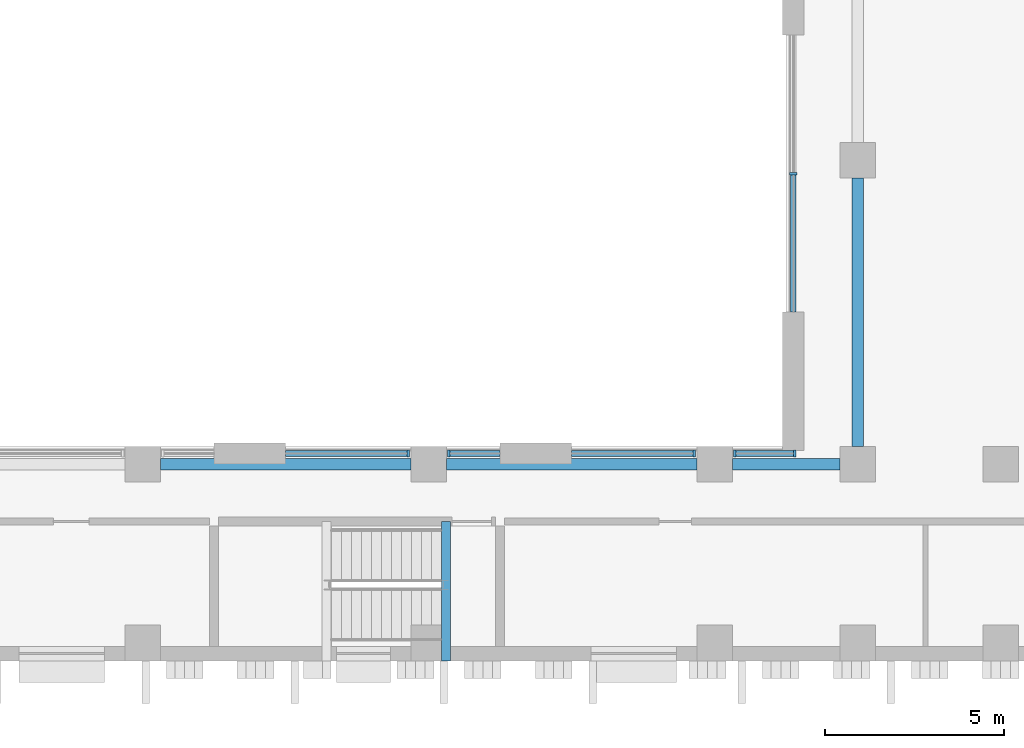
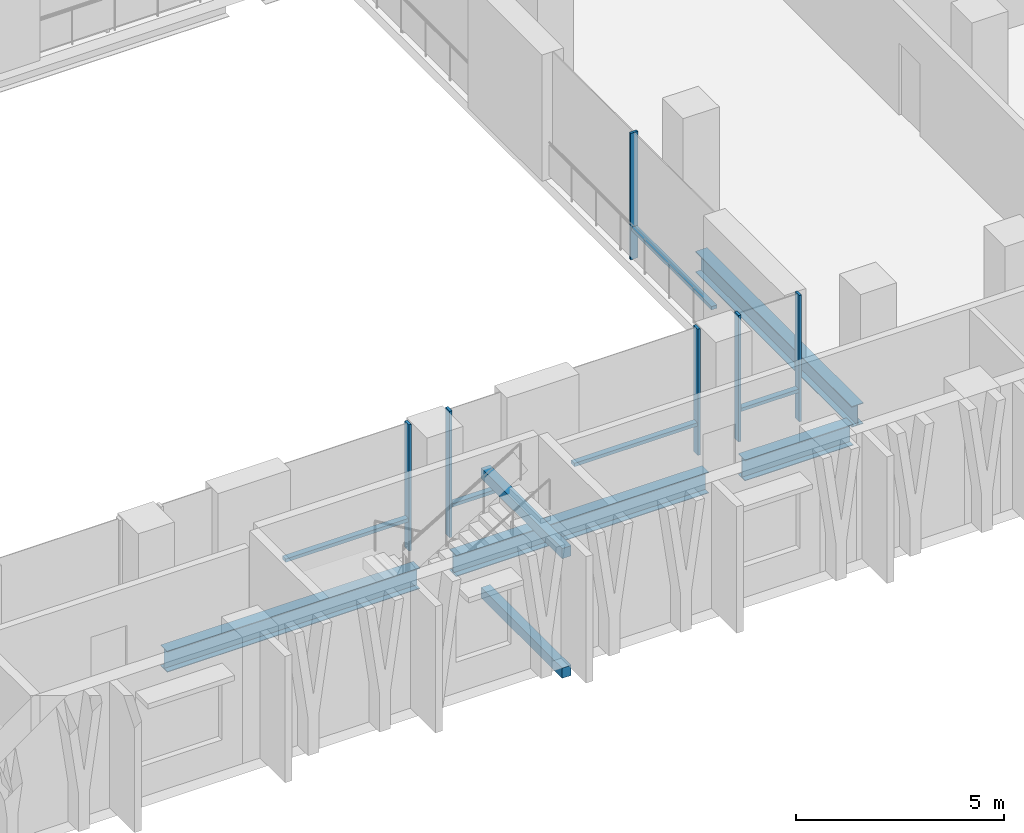
# One storey, part 3 of 24: 11 members, 6 beams, 5 elements without a shape of their own.
"""IFC4 building model written with IfcOpenShell, lengths in metres."""

from ifc_helpers import new_model, si_unit, direction, frame, origin, origin_2d, place, context, subcontext, project, spatial, rectangle, i_section, extrude, material, material_profile, profile_set, type_object, element, aggregate, save


model = new_model("IFC4")

# Units and contexts
model_context = context("Model", 3, precision=1e-05, world=origin(), true_north=direction((0.0, 1.0)))
body_context = subcontext(model_context, "Body", "Model", "MODEL_VIEW")
ifc_project = project(units=[si_unit("LENGTHUNIT", "METRE"), si_unit("AREAUNIT", "SQUARE_METRE"), si_unit("VOLUMEUNIT", "CUBIC_METRE"), si_unit("PLANEANGLEUNIT", "RADIAN"), si_unit("MASSUNIT", "GRAM", prefix="KILO")], contexts=[model_context])

# Site, building, storey
site_placement = place(None, origin())
site = spatial("IfcSite", under=ifc_project, at=site_placement, CompositionType="ELEMENT")
building_placement = place(site_placement, origin())
building = spatial("IfcBuilding", under=site, at=building_placement, Name="Vidyagriha Tower", CompositionType="ELEMENT")
storey_placement = place(building_placement, frame((0.0, 0.0, 22.0)))
storey = spatial("IfcBuildingStorey", under=building, at=storey_placement, Name="L05", CompositionType="ELEMENT", Elevation=22.0)

# Beams
ifc_material_1 = material(Name="Steel ASTM A992 Grade 50", Category="steel")
ifc_material_profile_1 = material_profile(ifc_material_1, i_section(OverallWidth=0.32373046875, OverallDepth=0.612060546875, WebThickness=0.0126953125, FlangeThickness=0.01904296875, at=origin_2d()), Name="W24X104")
ifc_profile_set_1 = profile_set([ifc_material_profile_1], Name="Steel ASTM A992 Grade 50")
beam_type_1 = type_object("IfcBeamType", Name="Atrium edge beam W24X104", PredefinedType="BEAM", material=ifc_profile_set_1)
for number, where, z_axis, x_axis, name in (
    (1, (2.5, -44.5, -0.60595703125), (1.0, 0.0, 0.0), (0.0, 1.0, 0.0), "st-beam-L05-AT04"),
    (2, (10.5, -44.5, -0.60595703125), (1.0, 0.0, 0.0), (0.0, 1.0, 0.0), "st-beam-L05-AT05"),
):
    element("IfcBeam", number, at=place(storey_placement, frame(where, z_axis=z_axis, x_axis=x_axis)), inside=storey, type_object=beam_type_1, Name=name, PredefinedType="BEAM", context=body_context, shape_type="SweptSolid", body=[
        extrude(i_section(OverallWidth=0.32373046875, OverallDepth=0.612060546875, WebThickness=0.0126953125, FlangeThickness=0.01904296875, at=origin_2d()), origin(), (0.0, 0.0, 1.0), 7.0),
    ])
beam_1_placement = place(storey_placement, frame((18.5, -44.5, -0.60595703125), z_axis=(1.0, 0.0, 0.0), x_axis=(0.0, 1.0, 0.0)))
element("IfcBeam", 3, at=beam_1_placement, inside=storey, type_object=beam_type_1, Name="st-beam-L05-AT06", PredefinedType="BEAM", context=body_context, shape_type="SweptSolid", body=[
    extrude(i_section(OverallWidth=0.32373046875, OverallDepth=0.612060546875, WebThickness=0.0126953125, FlangeThickness=0.01904296875, at=origin_2d()), origin(), (0.0, 0.0, 1.0), 3.0),
])
beam_2_placement = place(storey_placement, frame((22.0, -44.0, -0.60595703125), z_axis=(0.0, 1.0, 0.0), x_axis=(-1.0, 0.0, 0.0)))
element("IfcBeam", 4, at=beam_2_placement, inside=storey, type_object=beam_type_1, Name="st-beam-L05-AT16", PredefinedType="BEAM", context=body_context, shape_type="SweptSolid", body=[
    extrude(i_section(OverallWidth=0.32373046875, OverallDepth=0.612060546875, WebThickness=0.0126953125, FlangeThickness=0.01904296875, at=origin_2d()), origin(), (0.0, 0.0, 1.0), 7.5),
])

# Curtain wall, members
ifc_material_2 = material(Name="Aluminium and glass curtain wall", Category="aluminium")
curtain_wall_type = type_object("IfcCurtainWallType", Name="Atrium screen curtain wall", PredefinedType="USERDEFINED", material=ifc_material_2)
curtain_wall_1_placement = place(storey_placement, origin())
curtain_wall_1 = element("IfcCurtainWall", 5, at=curtain_wall_1_placement, inside=storey, type_object=curtain_wall_type, Name="CW6 atrium screen", ObjectType="UNITISED", PredefinedType="USERDEFINED")
ifc_material_3 = material(Name="Aluminium black anodised", Category="aluminium")
ifc_material_profile_2 = material_profile(ifc_material_3, rectangle(XDim=0.199951171875, YDim=0.070068359375, at=origin_2d()), Name="Mullion 70x200 black aluminium")
ifc_profile_set_2 = profile_set([ifc_material_profile_2], Name="Aluminium black anodised")
member_type_1 = type_object("IfcMemberType", Name="Mullion 70x200 black aluminium", PredefinedType="MULLION", material=ifc_profile_set_2)
member_1_placement = place(storey_placement, frame((20.2451171875, -44.199951171875, 0.0), z_axis=(0.0, 0.0, 1.0), x_axis=(0.0, -1.0, 0.0)))
member_1 = element("IfcMember", 6, at=member_1_placement, type_object=member_type_1, Name="CW6 mullion 1", PredefinedType="MULLION", context=body_context, shape_type="SweptSolid", body=[
    extrude(rectangle(XDim=0.199951171875, YDim=0.070068359375, at=origin_2d()), origin(), (0.0, 0.0, 1.0), 3.699951171875),
])
member_2_placement = place(storey_placement, frame((18.56494140625, -44.199951171875, 0.0), z_axis=(0.0, 0.0, 1.0), x_axis=(0.0, -1.0, 0.0)))
member_2 = element("IfcMember", 7, at=member_2_placement, type_object=member_type_1, Name="CW6 mullion 2", PredefinedType="MULLION", context=body_context, shape_type="SweptSolid", body=[
    extrude(rectangle(XDim=0.199951171875, YDim=0.070068359375, at=origin_2d()), origin(), (0.0, 0.0, 1.0), 3.699951171875),
])

# Curtain wall, member
curtain_wall_2_placement = place(storey_placement, origin())
curtain_wall_2 = element("IfcCurtainWall", 8, at=curtain_wall_2_placement, inside=storey, type_object=curtain_wall_type, Name="CW6 atrium screen", ObjectType="UNITISED", PredefinedType="USERDEFINED")
member_3_placement = place(storey_placement, frame((17.43505859375, -44.199951171875, 0.0), z_axis=(0.0, 0.0, 1.0), x_axis=(0.0, -1.0, 0.0)))
member_3 = element("IfcMember", 9, at=member_3_placement, type_object=member_type_1, Name="CW6 mullion 1", PredefinedType="MULLION", context=body_context, shape_type="SweptSolid", body=[
    extrude(rectangle(XDim=0.199951171875, YDim=0.070068359375, at=origin_2d()), origin(), (0.0, 0.0, 1.0), 3.699951171875),
])

curtain_wall_3_placement = place(storey_placement, origin())
curtain_wall_3 = element("IfcCurtainWall", 10, at=curtain_wall_3_placement, inside=storey, type_object=curtain_wall_type, Name="CW6 atrium screen", ObjectType="UNITISED", PredefinedType="USERDEFINED")
member_4_placement = place(storey_placement, frame((10.56494140625, -44.199951171875, 0.0), z_axis=(0.0, 0.0, 1.0), x_axis=(0.0, -1.0, 0.0)))
member_4 = element("IfcMember", 11, at=member_4_placement, type_object=member_type_1, Name="CW6 mullion 2", PredefinedType="MULLION", context=body_context, shape_type="SweptSolid", body=[
    extrude(rectangle(XDim=0.199951171875, YDim=0.070068359375, at=origin_2d()), origin(), (0.0, 0.0, 1.0), 3.699951171875),
])

curtain_wall_4_placement = place(storey_placement, origin())
curtain_wall_4 = element("IfcCurtainWall", 12, at=curtain_wall_4_placement, inside=storey, type_object=curtain_wall_type, Name="CW6 atrium screen", ObjectType="UNITISED", PredefinedType="USERDEFINED")
member_5_placement = place(storey_placement, frame((9.43505859375, -44.199951171875, 0.0), z_axis=(0.0, 0.0, 1.0), x_axis=(0.0, -1.0, 0.0)))
member_5 = element("IfcMember", 13, at=member_5_placement, type_object=member_type_1, Name="CW6 mullion 1", PredefinedType="MULLION", context=body_context, shape_type="SweptSolid", body=[
    extrude(rectangle(XDim=0.199951171875, YDim=0.070068359375, at=origin_2d()), origin(), (0.0, 0.0, 1.0), 3.699951171875),
])

curtain_wall_5_placement = place(storey_placement, origin())
curtain_wall_5 = element("IfcCurtainWall", 14, at=curtain_wall_5_placement, inside=storey, type_object=curtain_wall_type, Name="CW6 atrium screen", ObjectType="UNITISED", PredefinedType="USERDEFINED")
member_6_placement = place(storey_placement, frame((20.199951171875, -36.373291015625, 0.0)))
member_6 = element("IfcMember", 15, at=member_6_placement, type_object=member_type_1, Name="CW6 mullion 2", PredefinedType="MULLION", context=body_context, shape_type="SweptSolid", body=[
    extrude(rectangle(XDim=0.199951171875, YDim=0.070068359375, at=origin_2d()), origin(), (0.0, 0.0, 1.0), 3.699951171875),
])

# Beams
ifc_material_4 = material(Name="Concrete C40/50", Category="concrete")
ifc_material_profile_3 = material_profile(ifc_material_4, rectangle(XDim=0.25, YDim=0.300048828125, at=origin_2d()), Name="Stair landing bearing beam 250x300")
ifc_profile_set_3 = profile_set([ifc_material_profile_3], Name="Concrete C40/50")
beam_type_2 = type_object("IfcBeamType", Name="Stair landing bearing beam 250x300", PredefinedType="BEAM", material=ifc_profile_set_3)
for number, where, z_axis, x_axis, name in (
    (16, (10.47998046875, -50.0, -0.449951171875), (0.0, 1.0, 0.0), (-1.0, 0.0, 0.0), "PS4 floor landing bearing beam L05"),
    (17, (10.47998046875, -50.0, 3.050048828125), (0.0, 1.0, 0.0), (-1.0, 0.0, 0.0), "PS4 floor landing bearing beam L06"),
):
    element("IfcBeam", number, at=place(storey_placement, frame(where, z_axis=z_axis, x_axis=x_axis)), inside=storey, type_object=beam_type_2, Name=name, PredefinedType="BEAM", context=body_context, shape_type="SweptSolid", body=[
        extrude(rectangle(XDim=0.25, YDim=0.300048828125, at=origin_2d()), origin(), (0.0, 0.0, 1.0), 3.89990234375),
    ])

# Member
ifc_material_5 = material(Name="Aluminium black anodised", Category="aluminium")
ifc_material_profile_4 = material_profile(ifc_material_5, rectangle(XDim=0.159912109375, YDim=0.10009765625, at=origin_2d()), Name="Transom 100x160 black aluminium")
ifc_profile_set_4 = profile_set([ifc_material_profile_4], Name="Aluminium black anodised")
member_type_2 = type_object("IfcMemberType", Name="Transom 100x160 black aluminium", PredefinedType="USERDEFINED", material=ifc_profile_set_4)
member_7_placement = place(storey_placement, frame((20.2099609375, -44.199951171875, 0.89990234375), z_axis=(-1.0, 0.0, 0.0), x_axis=(0.0, -1.0, 0.0)))
member_7 = element("IfcMember", 18, at=member_7_placement, type_object=member_type_2, Name="CW6 transom 1.1", ObjectType="TRANSOM", PredefinedType="USERDEFINED", context=body_context, shape_type="SweptSolid", body=[
    extrude(rectangle(XDim=0.159912109375, YDim=0.10009765625, at=origin_2d()), origin(), (0.0, 0.0, 1.0), 1.60986328125),
])

aggregate(curtain_wall_1, [member_1, member_2, member_7])

member_8_placement = place(storey_placement, frame((17.39990234375, -44.199951171875, 0.89990234375), z_axis=(-1.0, 0.0, 0.0), x_axis=(0.0, -1.0, 0.0)))
member_8 = element("IfcMember", 19, at=member_8_placement, type_object=member_type_2, Name="CW6 transom 1.1", ObjectType="TRANSOM", PredefinedType="USERDEFINED", context=body_context, shape_type="SweptSolid", body=[
    extrude(rectangle(XDim=0.159912109375, YDim=0.10009765625, at=origin_2d()), origin(), (0.0, 0.0, 1.0), 3.39990234375),
])

aggregate(curtain_wall_2, [member_3, member_8])

member_9_placement = place(storey_placement, frame((12.0, -44.199951171875, 0.89990234375), z_axis=(-1.0, 0.0, 0.0), x_axis=(0.0, -1.0, 0.0)))
member_9 = element("IfcMember", 20, at=member_9_placement, type_object=member_type_2, Name="CW6 transom 1.1", ObjectType="TRANSOM", PredefinedType="USERDEFINED", context=body_context, shape_type="SweptSolid", body=[
    extrude(rectangle(XDim=0.159912109375, YDim=0.10009765625, at=origin_2d()), origin(), (0.0, 0.0, 1.0), 1.39990234375),
])

aggregate(curtain_wall_3, [member_4, member_9])

member_10_placement = place(storey_placement, frame((9.39990234375, -44.199951171875, 0.89990234375), z_axis=(-1.0, 0.0, 0.0), x_axis=(0.0, -1.0, 0.0)))
member_10 = element("IfcMember", 21, at=member_10_placement, type_object=member_type_2, Name="CW6 transom 1.1", ObjectType="TRANSOM", PredefinedType="USERDEFINED", context=body_context, shape_type="SweptSolid", body=[
    extrude(rectangle(XDim=0.159912109375, YDim=0.10009765625, at=origin_2d()), origin(), (0.0, 0.0, 1.0), 3.39990234375),
])

aggregate(curtain_wall_4, [member_5, member_10])

member_11_placement = place(storey_placement, frame((20.199951171875, -36.408203125, 0.89990234375), z_axis=(0.0, -1.0, 0.0), x_axis=(1.0, 0.0, 0.0)))
member_11 = element("IfcMember", 22, at=member_11_placement, type_object=member_type_2, Name="CW6 transom 2.1", ObjectType="TRANSOM", PredefinedType="USERDEFINED", context=body_context, shape_type="SweptSolid", body=[
    extrude(rectangle(XDim=0.159912109375, YDim=0.10009765625, at=origin_2d()), origin(), (0.0, 0.0, 1.0), 3.83837890625),
])

aggregate(curtain_wall_5, [member_6, member_11])

save(model, "model.ifc")
